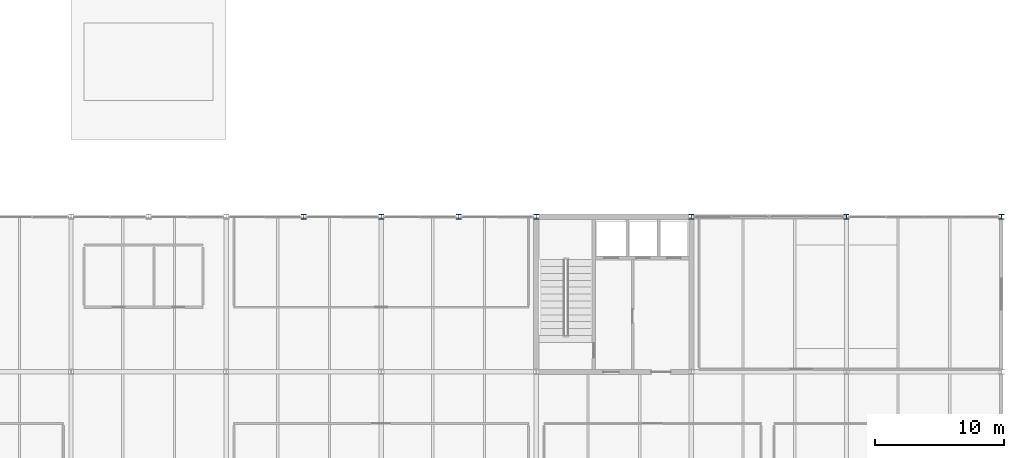
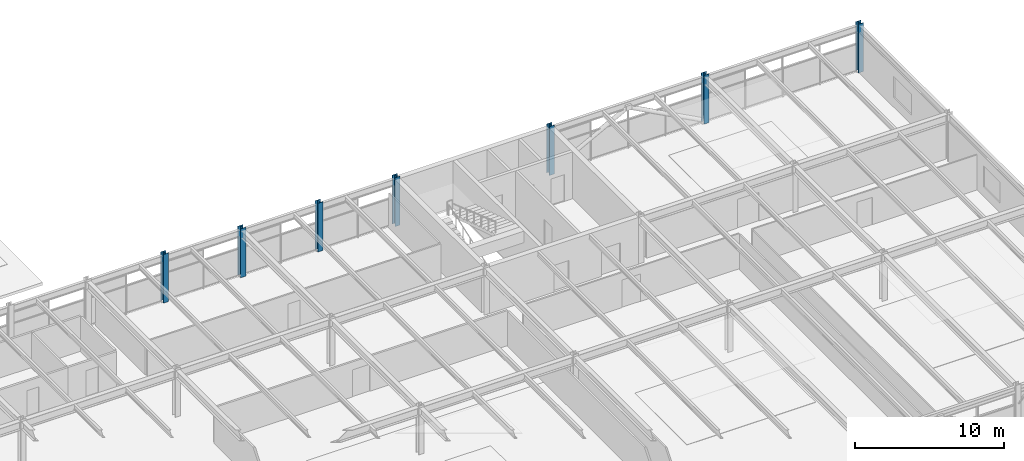
# One storey, part 6 of 49: 7 columns.
"""IFC4 building model written with IfcOpenShell, lengths in metres."""

from ifc_helpers import new_model, si_unit, direction, frame, origin, origin_2d, place, context, subcontext, project, spatial, i_section, extrude, material, material_profile, profile_set, type_object, element, save


model = new_model("IFC4")

# Units and contexts
model_context = context("Model", 3, precision=1e-05, world=origin(), true_north=direction((0.0, 1.0)))
body_context = subcontext(model_context, "Body", "Model", "MODEL_VIEW")
ifc_project = project(units=[si_unit("LENGTHUNIT", "METRE"), si_unit("AREAUNIT", "SQUARE_METRE"), si_unit("VOLUMEUNIT", "CUBIC_METRE"), si_unit("PLANEANGLEUNIT", "RADIAN"), si_unit("MASSUNIT", "GRAM", prefix="KILO")], contexts=[model_context])

# Site, building, storey
site_placement = place(None, origin())
site = spatial("IfcSite", under=ifc_project, at=site_placement, CompositionType="ELEMENT")
building_placement = place(site_placement, origin())
building = spatial("IfcBuilding", under=site, at=building_placement, Name="Girod Span Mobility Hub", CompositionType="ELEMENT")
storey_placement = place(building_placement, frame((0.0, 0.0, 37.60009765625)))
storey = spatial("IfcBuildingStorey", under=building, at=storey_placement, Name="L09", CompositionType="ELEMENT", Elevation=37.60009765625)

# Columns
ifc_material_1 = material(Name="Steel A992 Grade 50", Category="steel")
ifc_material_profile_1 = material_profile(ifc_material_1, i_section(OverallWidth=0.39404296875, OverallDepth=0.375, WebThickness=0.017333984375, FlangeThickness=0.027587890625, FilletRadius=0.01806640625, at=origin_2d()), Name="W14X145")
ifc_profile_set_1 = profile_set([ifc_material_profile_1], Name="Steel A992 Grade 50")
column_type_1 = type_object("IfcColumnType", Name="COL-STL-W14X145", PredefinedType="COLUMN", material=ifc_profile_set_1)
for number, where, z_axis, x_axis, name in (
    (1, (132.0, 69.0, 0.0), (0.0, 0.0, 1.0), (1.0, 0.0, 0.0), "Column 12F L09"),
    (2, (144.0, 69.0, 0.0), (0.0, 0.0, 1.0), (1.0, 0.0, 0.0), "Column 13F L09"),
    (3, (90.0, 69.0, 0.0), (0.0, 0.0, 1.0), (1.0, 0.0, 0.0), "Facade Intermediate Column INT-3 L09"),
    (4, (102.0, 69.0, 0.0), (0.0, 0.0, 1.0), (1.0, 0.0, 0.0), "Facade Intermediate Column INT-4 L09"),
):
    element("IfcColumn", number, at=place(storey_placement, frame(where, z_axis=z_axis, x_axis=x_axis)), inside=storey, type_object=column_type_1, Name=name, PredefinedType="COLUMN", context=body_context, shape_type="SweptSolid", body=[
        extrude(i_section(OverallWidth=0.39404296875, OverallDepth=0.375, WebThickness=0.017333984375, FlangeThickness=0.027587890625, FilletRadius=0.01806640625, at=origin_2d()), origin(), (0.0, 0.0, 1.0), 4.0),
    ])
ifc_material_2 = material(Name="Steel A992 Grade 50", Category="steel")
ifc_material_profile_2 = material_profile(ifc_material_2, i_section(OverallWidth=0.39892578125, OverallDepth=0.39306640625, WebThickness=0.022705078125, FlangeThickness=0.03662109375, FilletRadius=0.01806640625, at=origin_2d()), Name="W14X193")
ifc_profile_set_2 = profile_set([ifc_material_profile_2], Name="Steel A992 Grade 50")
column_type_2 = type_object("IfcColumnType", Name="COL-STL-W14X193", PredefinedType="COLUMN", material=ifc_profile_set_2)
for number, where, z_axis, x_axis, name in (
    (5, (96.0, 69.0, 0.0), (0.0, 0.0, 1.0), (1.0, 0.0, 0.0), "Column 9F L09"),
    (6, (108.0, 69.0, 0.0), (0.0, 0.0, 1.0), (1.0, 0.0, 0.0), "Column 10F L09"),
    (7, (120.0, 69.0, 0.0), (0.0, 0.0, 1.0), (1.0, 0.0, 0.0), "Column 11F L09"),
):
    element("IfcColumn", number, at=place(storey_placement, frame(where, z_axis=z_axis, x_axis=x_axis)), inside=storey, type_object=column_type_2, Name=name, PredefinedType="COLUMN", context=body_context, shape_type="SweptSolid", body=[
        extrude(i_section(OverallWidth=0.39892578125, OverallDepth=0.39306640625, WebThickness=0.022705078125, FlangeThickness=0.03662109375, FilletRadius=0.01806640625, at=origin_2d()), origin(), (0.0, 0.0, 1.0), 4.0),
    ])

save(model, "model.ifc")
